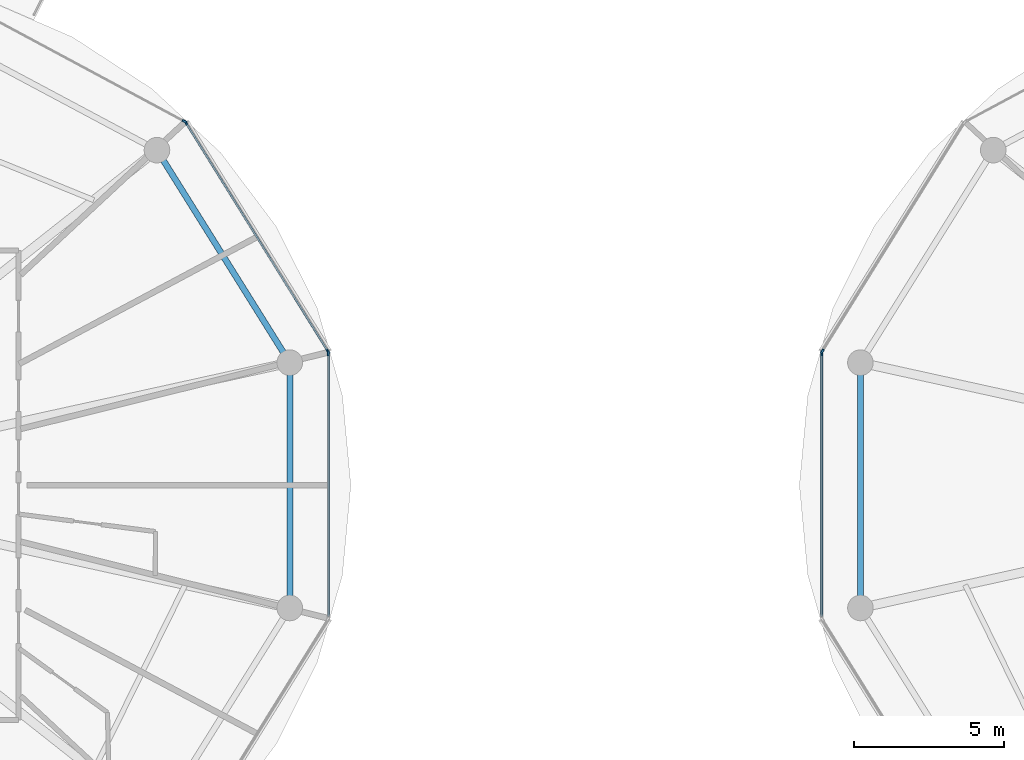
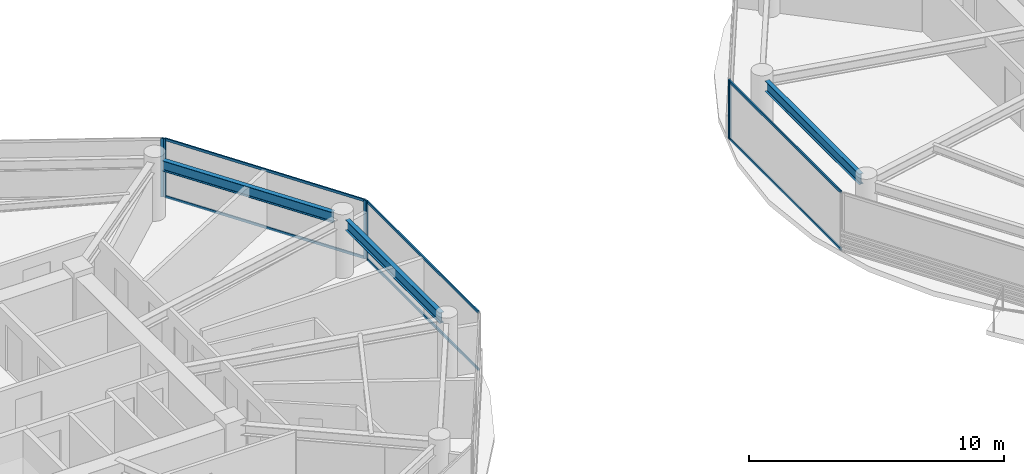
# One storey, part 7 of 22: 12 members, 3 beams, 5 elements without a shape of their own.
"""IFC4 building model written with IfcOpenShell, lengths in metres."""

from ifc_helpers import new_model, si_unit, direction, frame, origin, origin_2d, place, context, subcontext, project, spatial, rectangle, i_section, extrude, source, transform, mapped, material, layer, layer_set, material_profile, profile_set, type_object, type_shapes, element, aggregate, save


model = new_model("IFC4")

# Units and contexts
model_context = context("Model", 3, precision=1e-05, world=origin(), true_north=direction((0.0, 1.0)))
body_context = subcontext(model_context, "Body", "Model", "MODEL_VIEW")
ifc_project = project(units=[si_unit("LENGTHUNIT", "METRE"), si_unit("AREAUNIT", "SQUARE_METRE"), si_unit("VOLUMEUNIT", "CUBIC_METRE"), si_unit("PLANEANGLEUNIT", "RADIAN"), si_unit("MASSUNIT", "GRAM", prefix="KILO")], contexts=[model_context])

# Site, building, storey
site_placement = place(None, origin())
site = spatial("IfcSite", under=ifc_project, at=site_placement, CompositionType="ELEMENT")
building_placement = place(site_placement, origin())
building = spatial("IfcBuilding", under=site, at=building_placement, Name="Norrkilde Senior Care Towers", CompositionType="ELEMENT")
storey_placement = place(building_placement, frame((0.0, 0.0, 87.10009765625)))
storey = spatial("IfcBuildingStorey", under=building, at=storey_placement, Name="L26", CompositionType="ELEMENT", Elevation=87.10009765625)

# Beams
ifc_material_1 = material(Name="Steel S355", Category="steel")
ifc_material_profile_1 = material_profile(ifc_material_1, i_section(OverallWidth=0.199951171875, OverallDepth=0.5, WebThickness=0.01025390625, FlangeThickness=0.01611328125, FilletRadius=0.02099609375, at=origin_2d()), Name="IPE 500")
ifc_profile_set_1 = profile_set([ifc_material_profile_1], Name="Steel S355")
beam_type = type_object("IfcBeamType", Name="Perimeter Ring Spandrel Z2 IPE500", PredefinedType="SPANDREL", material=ifc_profile_set_1)
shared_shape_1 = source(origin(), body_context, "Body", "SweptSolid", [
    extrude(i_section(OverallWidth=0.199951171875, OverallDepth=0.5, WebThickness=0.01025390625, FlangeThickness=0.01611328125, FilletRadius=0.02099609375, at=origin_2d()), origin(), (0.0, 0.0, 1.0), 7.55615234375),
])
beam_placement = place(storey_placement, frame((-9.68505859375, 4.40283203125, 2.539794921875), z_axis=(-0.529981514254, 0.848009194849, 0.0), x_axis=(-0.848009194849, -0.529981514254, 0.0)))
element("IfcBeam", 1, at=beam_placement, inside=storey, type_object=beam_type, Name="L26 Drum W Perimeter Spandrel 01", PredefinedType="SPANDREL", context=body_context, shape_type="MappedRepresentation", body=[
    mapped(shared_shape_1, transform((0.0, 0.0, 0.0), x_axis=(1.0, 0.0, 0.0), y_axis=(0.0, 1.0, 0.0), z_axis=(0.0, 0.0, 1.0), scale=1.0)),
])
shared_shape_2 = source(origin(), body_context, "Body", "SweptSolid", [
    extrude(i_section(OverallWidth=0.199951171875, OverallDepth=0.5, WebThickness=0.01025390625, FlangeThickness=0.01611328125, FilletRadius=0.02099609375, at=origin_2d()), origin(), (0.0, 0.0, 1.0), 7.3828125),
])
type_shapes(beam_type, [shared_shape_1, shared_shape_2])
for number, where, z_axis, x_axis, name in (
    (2, (-9.48095703125, -3.69140625, 2.539794921875), (0.0, 1.0, 0.0), (-1.0, 0.0, 0.0), "L26 Drum W Perimeter Spandrel 12"),
    (3, (9.48095703125, 3.69140625, 2.539794921875), (0.0, -1.0, 0.0), (1.0, 0.0, 0.0), "L26 Drum E Perimeter Spandrel 06"),
):
    element("IfcBeam", number, at=place(storey_placement, frame(where, z_axis=z_axis, x_axis=x_axis)), inside=storey, type_object=beam_type, Name=name, PredefinedType="SPANDREL", context=body_context, shape_type="MappedRepresentation", body=[
        mapped(shared_shape_2, transform((0.0, 0.0, 0.0), x_axis=(1.0, 0.0, 0.0), y_axis=(0.0, 1.0, 0.0), z_axis=(0.0, 0.0, 1.0), scale=1.0)),
    ])

# Curtain wall, members
ifc_material_2 = material(Name="Triple Low-E Insulated Glazing", Category="glass")
ifc_layer = layer(ifc_material_2, 0.195068359375)
ifc_layer_set = layer_set([ifc_layer], Name="Triple Low-E Insulated Glazing")
curtain_wall_type = type_object("IfcCurtainWallType", Name="CW3 Zone 2 Assisted Living Curtain Wall", PredefinedType="NOTDEFINED", material=ifc_layer_set)
curtain_wall_1_placement = place(storey_placement, origin())
curtain_wall_1 = element("IfcCurtainWall", 4, at=curtain_wall_1_placement, inside=storey, type_object=curtain_wall_type, Name="L26 Drum W Curtain Wall 00", PredefinedType="NOTDEFINED")
ifc_material_3 = material(Name="Anodised Aluminium", Category="aluminium")
ifc_material_profile_2 = material_profile(ifc_material_3, rectangle(XDim=0.06494140625, YDim=0.159912109375, at=origin_2d()), Name="ALU MULL 65x160")
ifc_profile_set_2 = profile_set([ifc_material_profile_2], Name="Anodised Aluminium")
member_type_1 = type_object("IfcMemberType", Name="Curtain Wall Mullion Z1-Z2 65x160", PredefinedType="MULLION", material=ifc_profile_set_2)
shared_shape_3 = source(origin(), body_context, "Body", "SweptSolid", [
    extrude(rectangle(XDim=0.06494140625, YDim=0.159912109375, at=origin_2d()), origin(), (0.0, 0.0, 1.0), 2.789794921875),
])
type_shapes(member_type_1, [shared_shape_3])
member_1_placement = place(storey_placement, frame((-12.936279296875, 12.0498046875, 0.0), z_axis=(0.0, 0.0, 1.0), x_axis=(0.849410171862, 0.527733228002, 0.0)))
member_1 = element("IfcMember", 5, at=member_1_placement, type_object=member_type_1, Name="CW-3 mullion 1", PredefinedType="MULLION", context=body_context, shape_type="MappedRepresentation", body=[
    mapped(shared_shape_3, transform((0.0, 0.0, 0.0), x_axis=(1.0, 0.0, 0.0), y_axis=(0.0, 1.0, 0.0), z_axis=(0.0, 0.0, 1.0), scale=1.0)),
])
member_2_placement = place(storey_placement, frame((-8.21337890625, 4.4482421875, 0.0), z_axis=(0.0, 0.0, 1.0), x_axis=(0.849410171862, 0.527733228002, 0.0)))
member_2 = element("IfcMember", 6, at=member_2_placement, type_object=member_type_1, Name="CW-3 mullion 2", PredefinedType="MULLION", context=body_context, shape_type="MappedRepresentation", body=[
    mapped(shared_shape_3, transform((0.0, 0.0, 0.0), x_axis=(1.0, 0.0, 0.0), y_axis=(0.0, 1.0, 0.0), z_axis=(0.0, 0.0, 1.0), scale=1.0)),
])

# Curtain wall, member
curtain_wall_2_placement = place(storey_placement, origin())
curtain_wall_2 = element("IfcCurtainWall", 7, at=curtain_wall_2_placement, inside=storey, type_object=curtain_wall_type, Name="L26 Drum W Curtain Wall 01", PredefinedType="NOTDEFINED")
member_3_placement = place(storey_placement, frame((-12.98193359375, 12.0927734375, 0.0), z_axis=(0.0, 0.0, 1.0), x_axis=(0.472769402511, 0.881186184668, 0.0)))
member_3 = element("IfcMember", 8, at=member_3_placement, type_object=member_type_1, Name="CW-3 mullion 2", PredefinedType="MULLION", context=body_context, shape_type="MappedRepresentation", body=[
    mapped(shared_shape_3, transform((0.0, 0.0, 0.0), x_axis=(1.0, 0.0, 0.0), y_axis=(0.0, 1.0, 0.0), z_axis=(0.0, 0.0, 1.0), scale=1.0)),
])
aggregate(curtain_wall_2, [member_3])

curtain_wall_3_placement = place(storey_placement, origin())
curtain_wall_3 = element("IfcCurtainWall", 9, at=curtain_wall_3_placement, inside=storey, type_object=curtain_wall_type, Name="L26 Drum W Curtain Wall 11", PredefinedType="NOTDEFINED")
member_4_placement = place(storey_placement, frame((-8.1962890625, 4.38818359375, 0.0), z_axis=(0.0, 0.0, 1.0), x_axis=(1.0, 0.0, 0.0)))
member_4 = element("IfcMember", 10, at=member_4_placement, type_object=member_type_1, Name="CW-3 mullion 1", PredefinedType="MULLION", context=body_context, shape_type="MappedRepresentation", body=[
    mapped(shared_shape_3, transform((0.0, 0.0, 0.0), x_axis=(1.0, 0.0, 0.0), y_axis=(0.0, 1.0, 0.0), z_axis=(0.0, 0.0, 1.0), scale=1.0)),
])

curtain_wall_4_placement = place(storey_placement, origin())
curtain_wall_4 = element("IfcCurtainWall", 11, at=curtain_wall_4_placement, inside=storey, type_object=curtain_wall_type, Name="L26 Drum E Curtain Wall 04", PredefinedType="NOTDEFINED")
member_5_placement = place(storey_placement, frame((8.21337890625, 4.4482421875, 0.0), z_axis=(0.0, 0.0, 1.0), x_axis=(-0.849410171862, 0.527733228002, 0.0)))
member_5 = element("IfcMember", 12, at=member_5_placement, type_object=member_type_1, Name="CW-3 mullion 1", PredefinedType="MULLION", context=body_context, shape_type="MappedRepresentation", body=[
    mapped(shared_shape_3, transform((0.0, 0.0, 0.0), x_axis=(1.0, 0.0, 0.0), y_axis=(0.0, 1.0, 0.0), z_axis=(0.0, 0.0, 1.0), scale=1.0)),
])
aggregate(curtain_wall_4, [member_5])

curtain_wall_5_placement = place(storey_placement, origin())
curtain_wall_5 = element("IfcCurtainWall", 13, at=curtain_wall_5_placement, inside=storey, type_object=curtain_wall_type, Name="L26 Drum E Curtain Wall 05", PredefinedType="NOTDEFINED")
member_6_placement = place(storey_placement, frame((8.1962890625, 4.38818359375, 0.0), z_axis=(0.0, 0.0, 1.0), x_axis=(-1.0, 0.0, 0.0)))
member_6 = element("IfcMember", 14, at=member_6_placement, type_object=member_type_1, Name="CW-3 mullion 2", PredefinedType="MULLION", context=body_context, shape_type="MappedRepresentation", body=[
    mapped(shared_shape_3, transform((0.0, 0.0, 0.0), x_axis=(1.0, 0.0, 0.0), y_axis=(0.0, 1.0, 0.0), z_axis=(0.0, 0.0, 1.0), scale=1.0)),
])

# Member
ifc_material_profile_3 = material_profile(ifc_material_3, rectangle(XDim=0.06005859375, YDim=0.1201171875, at=origin_2d()), Name="ALU TRAN 60x120")
ifc_profile_set_3 = profile_set([ifc_material_profile_3], Name="Anodised Aluminium")
member_type_2 = type_object("IfcMemberType", Name="Curtain Wall Transom Typical 60x120", PredefinedType="USERDEFINED", material=ifc_profile_set_3)
shared_shape_4 = source(origin(), body_context, "Body", "SweptSolid", [
    extrude(rectangle(XDim=0.06005859375, YDim=0.1201171875, at=origin_2d()), origin(), (0.0, 0.0, 1.0), 8.88427734375),
])
member_7_placement = place(storey_placement, frame((-12.919189453125, 12.022216796875, 0.02978515625), z_axis=(0.527749293309, -0.849400190377, 0.0), x_axis=(0.849400190377, 0.527749293309, 0.0)))
member_7 = element("IfcMember", 15, at=member_7_placement, type_object=member_type_2, Name="CW-3 transom 1.1", ObjectType="TRANSOM", PredefinedType="USERDEFINED", context=body_context, shape_type="MappedRepresentation", body=[
    mapped(shared_shape_4, transform((0.0, 0.0, 0.0), x_axis=(1.0, 0.0, 0.0), y_axis=(0.0, 1.0, 0.0), z_axis=(0.0, 0.0, 1.0), scale=1.0)),
])

member_8_placement = place(storey_placement, frame((-12.919189453125, 12.022216796875, 2.760009765625), z_axis=(0.527749293309, -0.849400190377, 0.0), x_axis=(0.849400190377, 0.527749293309, 0.0)))
member_8 = element("IfcMember", 16, at=member_8_placement, type_object=member_type_2, Name="CW-3 transom 1.2", ObjectType="TRANSOM", PredefinedType="USERDEFINED", context=body_context, shape_type="MappedRepresentation", body=[
    mapped(shared_shape_4, transform((0.0, 0.0, 0.0), x_axis=(1.0, 0.0, 0.0), y_axis=(0.0, 1.0, 0.0), z_axis=(0.0, 0.0, 1.0), scale=1.0)),
])

aggregate(curtain_wall_1, [member_1, member_2, member_7, member_8])

shared_shape_5 = source(origin(), body_context, "Body", "SweptSolid", [
    extrude(rectangle(XDim=0.06005859375, YDim=0.1201171875, at=origin_2d()), origin(), (0.0, 0.0, 1.0), 8.71142578125),
])
type_shapes(member_type_2, [shared_shape_4, shared_shape_5])
member_9_placement = place(storey_placement, frame((-8.1962890625, 4.355712890625, 0.02978515625), z_axis=(0.0, -1.0, 0.0), x_axis=(1.0, 0.0, 0.0)))
member_9 = element("IfcMember", 17, at=member_9_placement, type_object=member_type_2, Name="CW-3 transom 1.1", ObjectType="TRANSOM", PredefinedType="USERDEFINED", context=body_context, shape_type="MappedRepresentation", body=[
    mapped(shared_shape_5, transform((0.0, 0.0, 0.0), x_axis=(1.0, 0.0, 0.0), y_axis=(0.0, 1.0, 0.0), z_axis=(0.0, 0.0, 1.0), scale=1.0)),
])

member_10_placement = place(storey_placement, frame((-8.1962890625, 4.355712890625, 2.760009765625), z_axis=(0.0, -1.0, 0.0), x_axis=(1.0, 0.0, 0.0)))
member_10 = element("IfcMember", 18, at=member_10_placement, type_object=member_type_2, Name="CW-3 transom 1.2", ObjectType="TRANSOM", PredefinedType="USERDEFINED", context=body_context, shape_type="MappedRepresentation", body=[
    mapped(shared_shape_5, transform((0.0, 0.0, 0.0), x_axis=(1.0, 0.0, 0.0), y_axis=(0.0, 1.0, 0.0), z_axis=(0.0, 0.0, 1.0), scale=1.0)),
])

aggregate(curtain_wall_3, [member_4, member_9, member_10])

member_11_placement = place(storey_placement, frame((8.1962890625, -4.355712890625, 0.02978515625), z_axis=(0.0, 1.0, 0.0), x_axis=(-1.0, 0.0, 0.0)))
member_11 = element("IfcMember", 19, at=member_11_placement, type_object=member_type_2, Name="CW-3 transom 1.1", ObjectType="TRANSOM", PredefinedType="USERDEFINED", context=body_context, shape_type="MappedRepresentation", body=[
    mapped(shared_shape_5, transform((0.0, 0.0, 0.0), x_axis=(1.0, 0.0, 0.0), y_axis=(0.0, 1.0, 0.0), z_axis=(0.0, 0.0, 1.0), scale=1.0)),
])

member_12_placement = place(storey_placement, frame((8.1962890625, -4.355712890625, 2.760009765625), z_axis=(0.0, 1.0, 0.0), x_axis=(-1.0, 0.0, 0.0)))
member_12 = element("IfcMember", 20, at=member_12_placement, type_object=member_type_2, Name="CW-3 transom 1.2", ObjectType="TRANSOM", PredefinedType="USERDEFINED", context=body_context, shape_type="MappedRepresentation", body=[
    mapped(shared_shape_5, transform((0.0, 0.0, 0.0), x_axis=(1.0, 0.0, 0.0), y_axis=(0.0, 1.0, 0.0), z_axis=(0.0, 0.0, 1.0), scale=1.0)),
])

aggregate(curtain_wall_5, [member_6, member_11, member_12])

save(model, "model.ifc")
